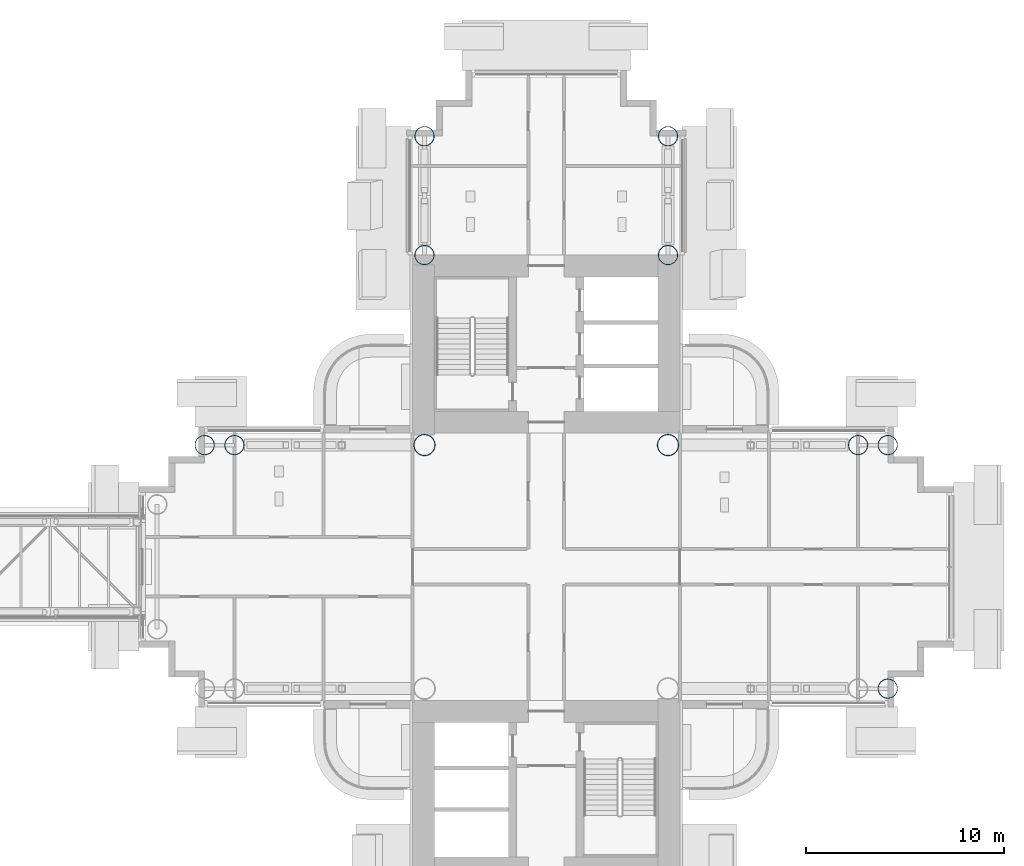
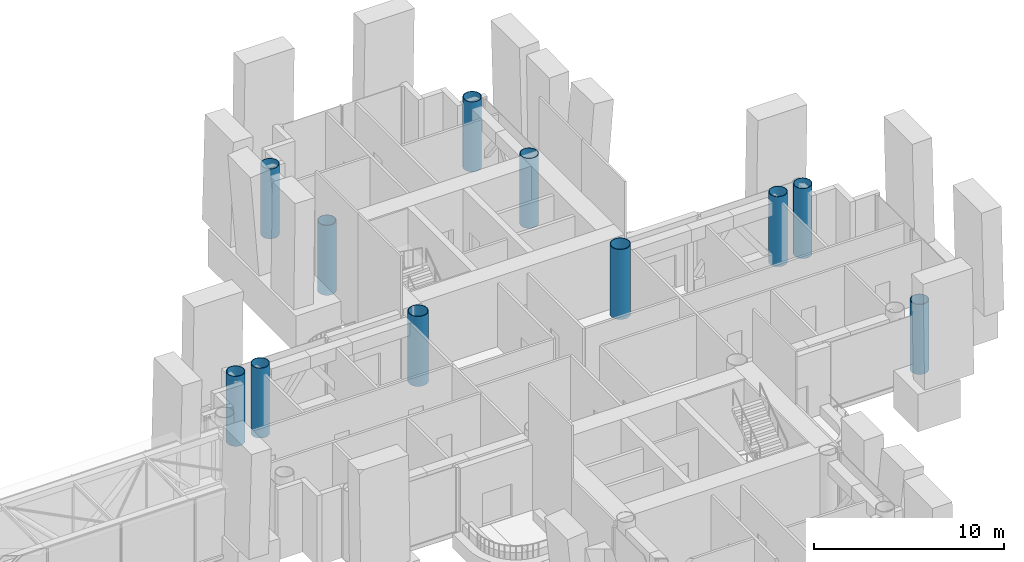
# One storey, part 2 of 27: 11 columns.
"""IFC4 building model written with IfcOpenShell, lengths in metres."""

from ifc_helpers import new_model, si_unit, direction, frame, origin, origin_2d, place, context, subcontext, project, spatial, hollow_circle, extrude, material, material_profile, profile_set, type_object, element, save


model = new_model("IFC4")

# Units and contexts
model_context = context("Model", 3, precision=1e-05, world=origin(), true_north=direction((0.0, 1.0)))
body_context = subcontext(model_context, "Body", "Model", "MODEL_VIEW")
ifc_project = project(units=[si_unit("LENGTHUNIT", "METRE"), si_unit("AREAUNIT", "SQUARE_METRE"), si_unit("VOLUMEUNIT", "CUBIC_METRE"), si_unit("PLANEANGLEUNIT", "RADIAN"), si_unit("MASSUNIT", "GRAM", prefix="KILO")], contexts=[model_context])

# Site, building, storey
site_placement = place(None, origin())
site = spatial("IfcSite", under=ifc_project, at=site_placement, CompositionType="ELEMENT")
building_placement = place(site_placement, origin())
building = spatial("IfcBuilding", under=site, at=building_placement, Name="Ipe Terrace Towers", CompositionType="ELEMENT")
storey_placement = place(building_placement, frame((0.0, 0.0, 72.10009765625)))
storey = spatial("IfcBuildingStorey", under=building, at=storey_placement, Name="L19", CompositionType="ELEMENT", Elevation=72.10009765625)

# Columns
ifc_material_1 = material(Name="Steel S355 tube with Concrete C60/75 fill", Category="concrete")
ifc_material_profile_1 = material_profile(ifc_material_1, hollow_circle(Radius=0.5, WallThickness=0.035888671875, at=origin_2d()), Name="CHS-1000x36")
ifc_profile_set_1 = profile_set([ifc_material_profile_1], Name="Steel S355 tube with Concrete C60/75 fill")
column_type_1 = type_object("IfcColumnType", Name="CH01 COLUMN CHS-1000x36", PredefinedType="COLUMN", material=ifc_profile_set_1)
for number, where, z_axis, x_axis, name in (
    (1, (42.14990234375, 15.75, 0.0), (0.0, 0.0, 1.0), (1.0, 0.0, 0.0), "Column T2-C-A01"),
    (2, (29.85009765625, 15.75, 0.0), (0.0, 0.0, 1.0), (1.0, 0.0, 0.0), "Column T2-C-A02"),
    (3, (42.14990234375, 21.75, 0.0), (0.0, 0.0, 1.0), (1.0, 0.0, 0.0), "Column T2-C-A03"),
    (4, (29.85009765625, 21.75, 0.0), (0.0, 0.0, 1.0), (1.0, 0.0, 0.0), "Column T2-C-A04"),
    (5, (20.25, 6.14990234375, 0.0), (0.0, 0.0, 1.0), (1.0, 0.0, 0.0), "Column T2-C-B03"),
    (6, (18.75, 6.14990234375, 0.0), (0.0, 0.0, 1.0), (1.0, 0.0, 0.0), "Column T2-C-B05"),
    (7, (51.75, 6.14990234375, 0.0), (0.0, 0.0, 1.0), (1.0, 0.0, 0.0), "Column T2-C-D04"),
    (8, (53.25, -6.14990234375, 0.0), (0.0, 0.0, 1.0), (1.0, 0.0, 0.0), "Column T2-C-D05"),
    (9, (53.25, 6.14990234375, 0.0), (0.0, 0.0, 1.0), (1.0, 0.0, 0.0), "Column T2-C-D06"),
):
    element("IfcColumn", number, at=place(storey_placement, frame(where, z_axis=z_axis, x_axis=x_axis)), inside=storey, type_object=column_type_1, Name=name, PredefinedType="COLUMN", context=body_context, shape_type="SweptSolid", body=[
        extrude(hollow_circle(Radius=0.5, WallThickness=0.035888671875, at=origin_2d()), origin(), (0.0, 0.0, 1.0), 4.5),
    ])
ifc_material_2 = material(Name="Steel S355 tube with Concrete C60/75 fill", Category="concrete")
ifc_material_profile_2 = material_profile(ifc_material_2, hollow_circle(Radius=0.550048828125, WallThickness=0.0400390625, at=origin_2d()), Name="CHS-1100x40")
ifc_profile_set_2 = profile_set([ifc_material_profile_2], Name="Steel S355 tube with Concrete C60/75 fill")
column_type_2 = type_object("IfcColumnType", Name="CH02 COLUMN CHS-1100x40", PredefinedType="COLUMN", material=ifc_profile_set_2)
for number, where, z_axis, x_axis, name in (
    (10, (42.14990234375, 6.14990234375, 0.0), (0.0, 0.0, 1.0), (1.0, 0.0, 0.0), "Column T2-C-E02"),
    (11, (29.85009765625, 6.14990234375, 0.0), (0.0, 0.0, 1.0), (1.0, 0.0, 0.0), "Column T2-C-E03"),
):
    element("IfcColumn", number, at=place(storey_placement, frame(where, z_axis=z_axis, x_axis=x_axis)), inside=storey, type_object=column_type_2, Name=name, PredefinedType="COLUMN", context=body_context, shape_type="SweptSolid", body=[
        extrude(hollow_circle(Radius=0.550048828125, WallThickness=0.0400390625, at=origin_2d()), origin(), (0.0, 0.0, 1.0), 4.5),
    ])

save(model, "model.ifc")
